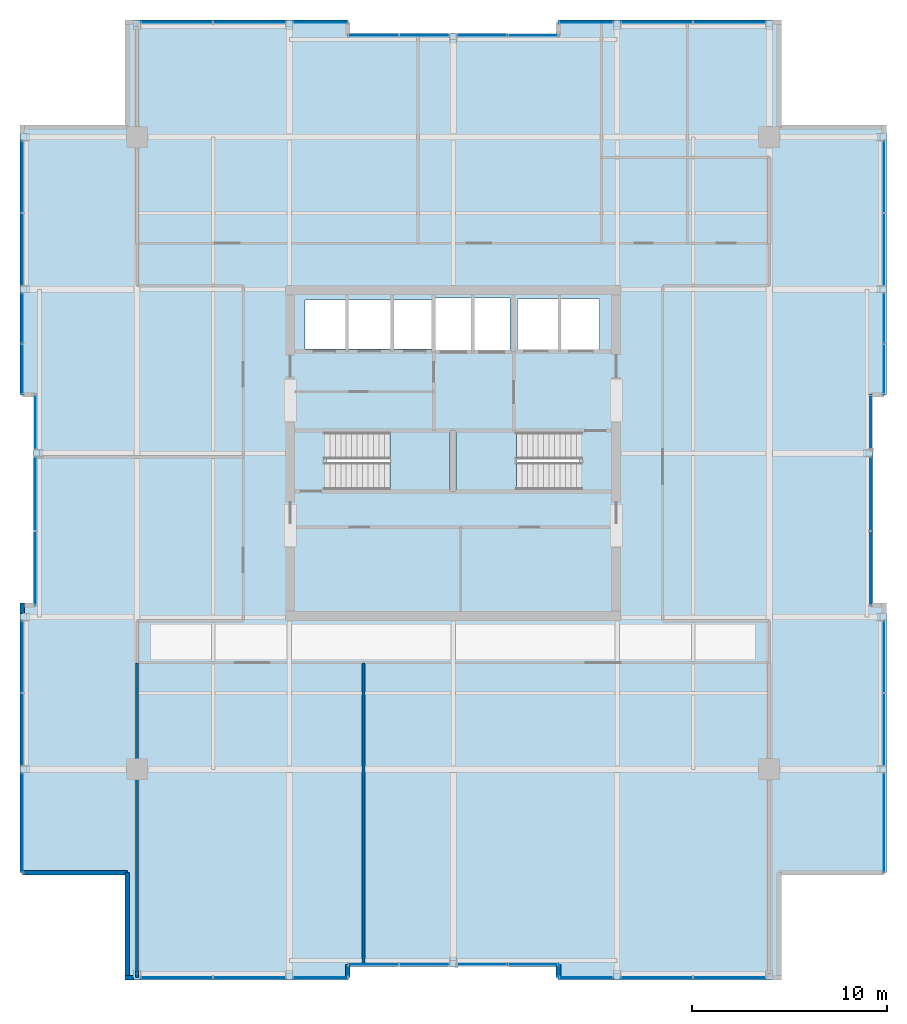
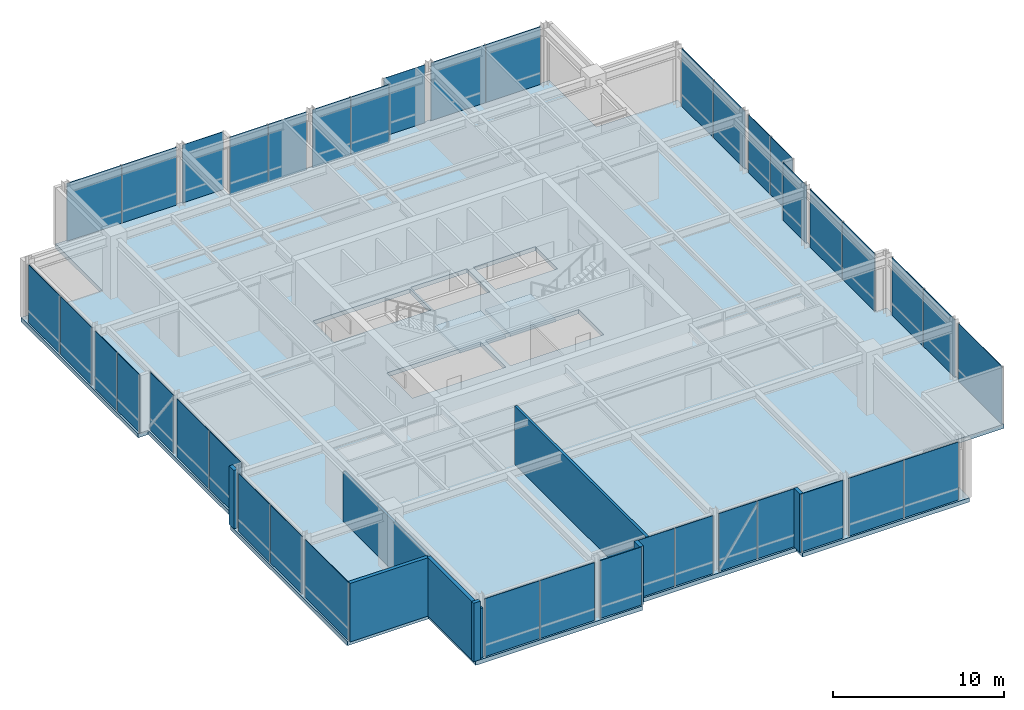
# One storey, part 26 of 32: 40 plates, 8 walls, 3 slabs, 26 elements without a shape of their own.
"""IFC4 building model written with IfcOpenShell, lengths in metres."""

from ifc_helpers import new_model, si_unit, direction, frame, frame_2d, origin, origin_2d, place, context, subcontext, project, spatial, polyline, rectangle, outline, extrude, material, layer, layer_set, type_object, element, aggregate, save


model = new_model("IFC4")

# Units and contexts
model_context = context("Model", 3, precision=1e-05, world=origin(), true_north=direction((0.0, 1.0)))
body_context = subcontext(model_context, "Body", "Model", "MODEL_VIEW")
ifc_project = project(units=[si_unit("LENGTHUNIT", "METRE"), si_unit("AREAUNIT", "SQUARE_METRE"), si_unit("VOLUMEUNIT", "CUBIC_METRE"), si_unit("PLANEANGLEUNIT", "RADIAN"), si_unit("MASSUNIT", "GRAM", prefix="KILO")], contexts=[model_context])

# Site, building, storey
site_placement = place(None, origin())
site = spatial("IfcSite", under=ifc_project, at=site_placement, CompositionType="ELEMENT")
building_placement = place(site_placement, origin())
building = spatial("IfcBuilding", under=site, at=building_placement, Name="Drelvath Grand Hotel", CompositionType="ELEMENT")
storey_placement = place(building_placement, frame((0.0, 0.0, 255.5)))
storey = spatial("IfcBuildingStorey", under=building, at=storey_placement, Name="L67", CompositionType="ELEMENT", Elevation=255.5)

# Slab
ifc_material_1 = material(Name="Concrete f'c 40 MPa", Category="concrete")
ifc_layer_1 = layer(ifc_material_1, 0.300048828125)
ifc_layer_set_1 = layer_set([ifc_layer_1], Name="Concrete f'c 40 MPa")
slab_type_1 = type_object("IfcSlabType", Name="Composite RC Floor Slab 300", PredefinedType="FLOOR", material=ifc_layer_set_1)
slab_1_placement = place(storey_placement, frame((0.0, 0.0, -0.300048828125)))
element("IfcSlab", 1, at=slab_1_placement, inside=storey, type_object=slab_type_1, Name="L67 Structural Floor Slab", PredefinedType="FLOOR", context=body_context, shape_type="SweptSolid", body=[
    extrude(outline(polyline([(-16.699951171875, 0.0), (-5.39990234375, 0.0), (-5.39990234375, 0.679931640625), (5.39990234375, 0.679931640625), (5.39990234375, 0.0), (16.699951171875, 0.0), (16.699951171875, 5.5), (22.199951171875, 5.5), (22.199951171875, 19.199951171875), (21.52001953125, 19.199951171875), (21.52001953125, 30.0), (22.199951171875, 30.0), (22.199951171875, 43.699951171875), (16.699951171875, 43.699951171875), (16.699951171875, 49.199951171875), (5.39990234375, 49.199951171875), (5.39990234375, 48.52001953125), (-5.39990234375, 48.52001953125), (-5.39990234375, 49.199951171875), (-16.699951171875, 49.199951171875), (-16.699951171875, 43.699951171875), (-22.199951171875, 43.699951171875), (-22.199951171875, 30.0), (-21.52001953125, 30.0), (-21.52001953125, 19.199951171875), (-22.199951171875, 19.199951171875), (-22.199951171875, 5.5), (-16.699951171875, 5.5), (-16.699951171875, 0.0)]), holes=[polyline([(-6.47998046875, 25.1201171875), (-6.47998046875, 28.080078125), (-0.14990234375, 28.080078125), (-0.14990234375, 25.1201171875), (-6.47998046875, 25.1201171875)]), polyline([(0.14990234375, 25.1201171875), (0.14990234375, 28.080078125), (6.47998046875, 28.080078125), (6.47998046875, 25.1201171875), (0.14990234375, 25.1201171875)]), polyline([(-7.60009765625, 32.35009765625), (-7.60009765625, 34.85009765625), (-1.02001953125, 34.85009765625), (-1.02001953125, 32.35009765625), (-7.60009765625, 32.35009765625)]), polyline([(-0.89990234375, 32.25), (-0.89990234375, 34.949951171875), (2.89990234375, 34.949951171875), (2.89990234375, 32.25), (-0.89990234375, 32.25)]), polyline([(3.300048828125, 32.300048828125), (3.300048828125, 34.89990234375), (7.5, 34.89990234375), (7.5, 32.300048828125), (3.300048828125, 32.300048828125)])]), origin(), (0.0, 0.0, 1.0), 0.300048828125),
])

# Stair, slab
ifc_material_2 = material(Name="Concrete C40/50", Category="concrete")
stair_type = type_object("IfcStairType", Name="Dogleg Exit Stair W1400-R173.1", PredefinedType="HALF_TURN_STAIR", material=ifc_material_2)
stair_1_placement = place(storey_placement, origin())
stair_1 = element("IfcStair", 2, at=stair_1_placement, inside=storey, type_object=stair_type, Name="L67 Core Exit Stair ST-1", PredefinedType="HALF_TURN_STAIR")
ifc_layer_2 = layer(ifc_material_2, 0.199951171875)
ifc_layer_set_2 = layer_set([ifc_layer_2], Name="Concrete C40/50")
slab_type_2 = type_object("IfcSlabType", Name="Concrete Stair Landing Slab 200", PredefinedType="LANDING", material=ifc_layer_set_2)
slab_2_placement = place(storey_placement, frame((0.0, 0.0, 2.050048828125)))
slab_2 = element("IfcSlab", 3, at=slab_2_placement, type_object=slab_type_2, Name="ST-1 landing 1", PredefinedType="LANDING", context=body_context, shape_type="SweptSolid", body=[
    extrude(outline(polyline([(-3.239990234375, 25.1201171875), (-0.14990234375, 25.1201171875), (-0.14990234375, 28.080078125), (-3.239990234375, 28.080078125), (-3.239990234375, 25.1201171875)])), origin(), (0.0, 0.0, 1.0), 0.199951171875),
])
aggregate(stair_1, [slab_2])

stair_2_placement = place(storey_placement, origin())
stair_2 = element("IfcStair", 4, at=stair_2_placement, inside=storey, type_object=stair_type, Name="L67 Core Exit Stair ST-2", PredefinedType="HALF_TURN_STAIR")
slab_3_placement = place(storey_placement, frame((0.0, 0.0, 2.050048828125)))
slab_3 = element("IfcSlab", 5, at=slab_3_placement, type_object=slab_type_2, Name="ST-2 landing 1", PredefinedType="LANDING", context=body_context, shape_type="SweptSolid", body=[
    extrude(outline(polyline([(3.239990234375, 28.080078125), (0.14990234375, 28.080078125), (0.14990234375, 25.1201171875), (3.239990234375, 25.1201171875), (3.239990234375, 28.080078125)])), origin(), (0.0, 0.0, 1.0), 0.199951171875),
])
aggregate(stair_2, [slab_3])

# Curtain wall, plate
ifc_material_3 = material(Name="Platinum-Mist Anodised Aluminium Frame", Category="aluminium")
ifc_layer_3 = layer(ifc_material_3, 0.199951171875)
ifc_layer_set_3 = layer_set([ifc_layer_3], Name="Platinum-Mist Anodised Aluminium Frame")
curtain_wall_type = type_object("IfcCurtainWallType", Name="Stick Curtain Wall CW-05 Platinum Mist High-Rise", PredefinedType="NOTDEFINED", material=ifc_layer_set_3)
curtain_wall_1_placement = place(storey_placement, origin())
curtain_wall_1 = element("IfcCurtainWall", 6, at=curtain_wall_1_placement, inside=storey, type_object=curtain_wall_type, Name="L67 CW-05 Curtain Wall CW05-L67-WS1", PredefinedType="NOTDEFINED")
ifc_material_4 = material(Name="Low-E Triple Silver High-Altitude Glass", Category="glass")
ifc_layer_4 = layer(ifc_material_4, 0.035888671875)
ifc_layer_set_4 = layer_set([ifc_layer_4], Name="Low-E Triple Silver High-Altitude Glass")
plate_type = type_object("IfcPlateType", Name="Curtain Wall Vision Panel CW-05 36mm", PredefinedType="CURTAIN_PANEL", material=ifc_layer_set_4)
plate_1_placement = place(storey_placement, frame((-22.080078125, 8.060791015625, 0.02001953125), z_axis=(0.0, 0.0, 1.0), x_axis=(0.0, 1.0, 0.0)))
plate_1 = element("IfcPlate", 7, at=plate_1_placement, type_object=plate_type, Name="CW05-L67-WS1 Glazed Panel 1", PredefinedType="CURTAIN_PANEL", context=body_context, shape_type="SweptSolid", body=[
    extrude(rectangle(XDim=5.081787109375, YDim=0.035888671875, at=origin_2d()), origin(), (0.0, 0.0, 1.0), 4.139892578125),
])
aggregate(curtain_wall_1, [plate_1])

# Curtain wall, plates
curtain_wall_2_placement = place(storey_placement, origin())
curtain_wall_2 = element("IfcCurtainWall", 8, at=curtain_wall_2_placement, inside=storey, type_object=curtain_wall_type, Name="L67 CW-05 Curtain Wall CW05-L67-WS2", PredefinedType="NOTDEFINED")
plate_2_placement = place(storey_placement, frame((-22.080078125, 12.839111328125, 0.02001953125), z_axis=(0.0, 0.0, 1.0), x_axis=(0.0, 1.0, 0.0)))
plate_2 = element("IfcPlate", 9, at=plate_2_placement, type_object=plate_type, Name="CW05-L67-WS2 Glazed Panel 1", PredefinedType="CURTAIN_PANEL", context=body_context, shape_type="SweptSolid", body=[
    extrude(rectangle(XDim=3.681884765625, YDim=0.035888671875, at=origin_2d()), origin(), (0.0, 0.0, 1.0), 4.139892578125),
])
plate_3_placement = place(storey_placement, frame((-22.080078125, 16.560791015625, 0.02001953125), z_axis=(0.0, 0.0, 1.0), x_axis=(0.0, 1.0, 0.0)))
plate_3 = element("IfcPlate", 10, at=plate_3_placement, type_object=plate_type, Name="CW05-L67-WS2 Glazed Panel 2", PredefinedType="CURTAIN_PANEL", context=body_context, shape_type="SweptSolid", body=[
    extrude(rectangle(XDim=3.681884765625, YDim=0.035888671875, at=origin_2d()), origin(), (0.0, 0.0, 1.0), 4.139892578125),
])
aggregate(curtain_wall_2, [plate_2, plate_3])

curtain_wall_3_placement = place(storey_placement, origin())
curtain_wall_3 = element("IfcCurtainWall", 11, at=curtain_wall_3_placement, inside=storey, type_object=curtain_wall_type, Name="L67 CW-05 Curtain Wall CW05-L67-WM1", PredefinedType="NOTDEFINED")
plate_4_placement = place(storey_placement, frame((-21.39990234375, 21.10546875, 0.02001953125), z_axis=(0.0, 0.0, 1.0), x_axis=(0.0, 1.0, 0.0)))
plate_4 = element("IfcPlate", 12, at=plate_4_placement, type_object=plate_type, Name="CW05-L67-WM1 Glazed Panel 1", PredefinedType="CURTAIN_PANEL", context=body_context, shape_type="SweptSolid", body=[
    extrude(rectangle(XDim=3.77099609375, YDim=0.035888671875, at=origin_2d()), origin(), (0.0, 0.0, 1.0), 4.139892578125),
])
plate_5_placement = place(storey_placement, frame((-21.39990234375, 24.91650390625, 0.02001953125), z_axis=(0.0, 0.0, 1.0), x_axis=(0.0, 1.0, 0.0)))
plate_5 = element("IfcPlate", 13, at=plate_5_placement, type_object=plate_type, Name="CW05-L67-WM1 Glazed Panel 2", PredefinedType="CURTAIN_PANEL", context=body_context, shape_type="SweptSolid", body=[
    extrude(rectangle(XDim=3.77099609375, YDim=0.035888671875, at=origin_2d()), origin(), (0.0, 0.0, 1.0), 4.139892578125),
])
aggregate(curtain_wall_3, [plate_4, plate_5])

# Curtain wall, plate
curtain_wall_4_placement = place(storey_placement, origin())
curtain_wall_4 = element("IfcCurtainWall", 14, at=curtain_wall_4_placement, inside=storey, type_object=curtain_wall_type, Name="L67 CW-05 Curtain Wall CW05-L67-WM2", PredefinedType="NOTDEFINED")
plate_6_placement = place(storey_placement, frame((-21.39990234375, 28.589111328125, 0.02001953125), z_axis=(0.0, 0.0, 1.0), x_axis=(0.0, 1.0, 0.0)))
plate_6 = element("IfcPlate", 15, at=plate_6_placement, type_object=plate_type, Name="CW05-L67-WM2 Glazed Panel 1", PredefinedType="CURTAIN_PANEL", context=body_context, shape_type="SweptSolid", body=[
    extrude(rectangle(XDim=2.78173828125, YDim=0.035888671875, at=origin_2d()), origin(), (0.0, 0.0, 1.0), 4.139892578125),
])
aggregate(curtain_wall_4, [plate_6])

# Curtain wall, plates
curtain_wall_5_placement = place(storey_placement, origin())
curtain_wall_5 = element("IfcCurtainWall", 16, at=curtain_wall_5_placement, inside=storey, type_object=curtain_wall_type, Name="L67 CW-05 Curtain Wall CW05-L67-WN1", PredefinedType="NOTDEFINED")
plate_7_placement = place(storey_placement, frame((-22.080078125, 31.305419921875, 0.02001953125), z_axis=(0.0, 0.0, 1.0), x_axis=(0.0, 1.0, 0.0)))
plate_7 = element("IfcPlate", 17, at=plate_7_placement, type_object=plate_type, Name="CW05-L67-WN1 Glazed Panel 1", PredefinedType="CURTAIN_PANEL", context=body_context, shape_type="SweptSolid", body=[
    extrude(rectangle(XDim=2.57080078125, YDim=0.035888671875, at=origin_2d()), origin(), (0.0, 0.0, 1.0), 4.139892578125),
])
plate_8_placement = place(storey_placement, frame((-22.080078125, 33.91650390625, 0.02001953125), z_axis=(0.0, 0.0, 1.0), x_axis=(0.0, 1.0, 0.0)))
plate_8 = element("IfcPlate", 18, at=plate_8_placement, type_object=plate_type, Name="CW05-L67-WN1 Glazed Panel 2", PredefinedType="CURTAIN_PANEL", context=body_context, shape_type="SweptSolid", body=[
    extrude(rectangle(XDim=2.57080078125, YDim=0.035888671875, at=origin_2d()), origin(), (0.0, 0.0, 1.0), 4.139892578125),
])
aggregate(curtain_wall_5, [plate_7, plate_8])

curtain_wall_6_placement = place(storey_placement, origin())
curtain_wall_6 = element("IfcCurtainWall", 19, at=curtain_wall_6_placement, inside=storey, type_object=curtain_wall_type, Name="L67 CW-05 Curtain Wall CW05-L67-WN2", PredefinedType="NOTDEFINED")
plate_9_placement = place(storey_placement, frame((-22.080078125, 37.439208984375, 0.02001953125), z_axis=(0.0, 0.0, 1.0), x_axis=(0.0, 1.0, 0.0)))
plate_9 = element("IfcPlate", 20, at=plate_9_placement, type_object=plate_type, Name="CW05-L67-WN2 Glazed Panel 1", PredefinedType="CURTAIN_PANEL", context=body_context, shape_type="SweptSolid", body=[
    extrude(rectangle(XDim=3.681884765625, YDim=0.035888671875, at=origin_2d()), origin(), (0.0, 0.0, 1.0), 4.139892578125),
])
plate_10_placement = place(storey_placement, frame((-22.080078125, 41.160888671875, 0.02001953125), z_axis=(0.0, 0.0, 1.0), x_axis=(0.0, 1.0, 0.0)))
plate_10 = element("IfcPlate", 21, at=plate_10_placement, type_object=plate_type, Name="CW05-L67-WN2 Glazed Panel 2", PredefinedType="CURTAIN_PANEL", context=body_context, shape_type="SweptSolid", body=[
    extrude(rectangle(XDim=3.681884765625, YDim=0.035888671875, at=origin_2d()), origin(), (0.0, 0.0, 1.0), 4.139892578125),
])
aggregate(curtain_wall_6, [plate_9, plate_10])

curtain_wall_7_placement = place(storey_placement, origin())
curtain_wall_7 = element("IfcCurtainWall", 22, at=curtain_wall_7_placement, inside=storey, type_object=curtain_wall_type, Name="L67 CW-05 Curtain Wall CW05-L67-EN1", PredefinedType="NOTDEFINED")
plate_11_placement = place(storey_placement, frame((22.080078125, 33.91650390625, 0.02001953125), z_axis=(0.0, 0.0, 1.0), x_axis=(0.0, -1.0, 0.0)))
plate_11 = element("IfcPlate", 23, at=plate_11_placement, type_object=plate_type, Name="CW05-L67-EN1 Glazed Panel 1", PredefinedType="CURTAIN_PANEL", context=body_context, shape_type="SweptSolid", body=[
    extrude(rectangle(XDim=2.57080078125, YDim=0.035888671875, at=origin_2d()), origin(), (0.0, 0.0, 1.0), 4.139892578125),
])
plate_12_placement = place(storey_placement, frame((22.080078125, 31.305419921875, 0.02001953125), z_axis=(0.0, 0.0, 1.0), x_axis=(0.0, -1.0, 0.0)))
plate_12 = element("IfcPlate", 24, at=plate_12_placement, type_object=plate_type, Name="CW05-L67-EN1 Glazed Panel 2", PredefinedType="CURTAIN_PANEL", context=body_context, shape_type="SweptSolid", body=[
    extrude(rectangle(XDim=2.57080078125, YDim=0.035888671875, at=origin_2d()), origin(), (0.0, 0.0, 1.0), 4.139892578125),
])
aggregate(curtain_wall_7, [plate_11, plate_12])

curtain_wall_8_placement = place(storey_placement, origin())
curtain_wall_8 = element("IfcCurtainWall", 25, at=curtain_wall_8_placement, inside=storey, type_object=curtain_wall_type, Name="L67 CW-05 Curtain Wall CW05-L67-EN2", PredefinedType="NOTDEFINED")
plate_13_placement = place(storey_placement, frame((22.080078125, 41.160888671875, 0.02001953125), z_axis=(0.0, 0.0, 1.0), x_axis=(0.0, -1.0, 0.0)))
plate_13 = element("IfcPlate", 26, at=plate_13_placement, type_object=plate_type, Name="CW05-L67-EN2 Glazed Panel 1", PredefinedType="CURTAIN_PANEL", context=body_context, shape_type="SweptSolid", body=[
    extrude(rectangle(XDim=3.681884765625, YDim=0.035888671875, at=origin_2d()), origin(), (0.0, 0.0, 1.0), 4.139892578125),
])
plate_14_placement = place(storey_placement, frame((22.080078125, 37.439208984375, 0.02001953125), z_axis=(0.0, 0.0, 1.0), x_axis=(0.0, -1.0, 0.0)))
plate_14 = element("IfcPlate", 27, at=plate_14_placement, type_object=plate_type, Name="CW05-L67-EN2 Glazed Panel 2", PredefinedType="CURTAIN_PANEL", context=body_context, shape_type="SweptSolid", body=[
    extrude(rectangle(XDim=3.681884765625, YDim=0.035888671875, at=origin_2d()), origin(), (0.0, 0.0, 1.0), 4.139892578125),
])
aggregate(curtain_wall_8, [plate_13, plate_14])

curtain_wall_9_placement = place(storey_placement, origin())
curtain_wall_9 = element("IfcCurtainWall", 28, at=curtain_wall_9_placement, inside=storey, type_object=curtain_wall_type, Name="L67 CW-05 Curtain Wall CW05-L67-EM1", PredefinedType="NOTDEFINED")
plate_15_placement = place(storey_placement, frame((21.39990234375, 24.91650390625, 0.02001953125), z_axis=(0.0, 0.0, 1.0), x_axis=(0.0, -1.0, 0.0)))
plate_15 = element("IfcPlate", 29, at=plate_15_placement, type_object=plate_type, Name="CW05-L67-EM1 Glazed Panel 1", PredefinedType="CURTAIN_PANEL", context=body_context, shape_type="SweptSolid", body=[
    extrude(rectangle(XDim=3.77099609375, YDim=0.035888671875, at=origin_2d()), origin(), (0.0, 0.0, 1.0), 4.139892578125),
])
plate_16_placement = place(storey_placement, frame((21.39990234375, 21.10546875, 0.02001953125), z_axis=(0.0, 0.0, 1.0), x_axis=(0.0, -1.0, 0.0)))
plate_16 = element("IfcPlate", 30, at=plate_16_placement, type_object=plate_type, Name="CW05-L67-EM1 Glazed Panel 2", PredefinedType="CURTAIN_PANEL", context=body_context, shape_type="SweptSolid", body=[
    extrude(rectangle(XDim=3.77099609375, YDim=0.035888671875, at=origin_2d()), origin(), (0.0, 0.0, 1.0), 4.139892578125),
])
aggregate(curtain_wall_9, [plate_15, plate_16])

# Curtain wall, plate
curtain_wall_10_placement = place(storey_placement, origin())
curtain_wall_10 = element("IfcCurtainWall", 31, at=curtain_wall_10_placement, inside=storey, type_object=curtain_wall_type, Name="L67 CW-05 Curtain Wall CW05-L67-EM2", PredefinedType="NOTDEFINED")
plate_17_placement = place(storey_placement, frame((21.39990234375, 28.589111328125, 0.02001953125), z_axis=(0.0, 0.0, 1.0), x_axis=(0.0, -1.0, 0.0)))
plate_17 = element("IfcPlate", 32, at=plate_17_placement, type_object=plate_type, Name="CW05-L67-EM2 Glazed Panel 1", PredefinedType="CURTAIN_PANEL", context=body_context, shape_type="SweptSolid", body=[
    extrude(rectangle(XDim=2.78173828125, YDim=0.035888671875, at=origin_2d()), origin(), (0.0, 0.0, 1.0), 4.139892578125),
])
aggregate(curtain_wall_10, [plate_17])

curtain_wall_11_placement = place(storey_placement, origin())
curtain_wall_11 = element("IfcCurtainWall", 33, at=curtain_wall_11_placement, inside=storey, type_object=curtain_wall_type, Name="L67 CW-05 Curtain Wall CW05-L67-ES1", PredefinedType="NOTDEFINED")
plate_18_placement = place(storey_placement, frame((22.080078125, 8.060791015625, 0.02001953125), z_axis=(0.0, 0.0, 1.0), x_axis=(0.0, -1.0, 0.0)))
plate_18 = element("IfcPlate", 34, at=plate_18_placement, type_object=plate_type, Name="CW05-L67-ES1 Glazed Panel 1", PredefinedType="CURTAIN_PANEL", context=body_context, shape_type="SweptSolid", body=[
    extrude(rectangle(XDim=5.081787109375, YDim=0.035888671875, at=origin_2d()), origin(), (0.0, 0.0, 1.0), 4.139892578125),
])
aggregate(curtain_wall_11, [plate_18])

# Curtain wall, plates
curtain_wall_12_placement = place(storey_placement, origin())
curtain_wall_12 = element("IfcCurtainWall", 35, at=curtain_wall_12_placement, inside=storey, type_object=curtain_wall_type, Name="L67 CW-05 Curtain Wall CW05-L67-ES2", PredefinedType="NOTDEFINED")
plate_19_placement = place(storey_placement, frame((22.080078125, 16.560791015625, 0.02001953125), z_axis=(0.0, 0.0, 1.0), x_axis=(0.0, -1.0, 0.0)))
plate_19 = element("IfcPlate", 36, at=plate_19_placement, type_object=plate_type, Name="CW05-L67-ES2 Glazed Panel 1", PredefinedType="CURTAIN_PANEL", context=body_context, shape_type="SweptSolid", body=[
    extrude(rectangle(XDim=3.681884765625, YDim=0.035888671875, at=origin_2d()), origin(), (0.0, 0.0, 1.0), 4.139892578125),
])
plate_20_placement = place(storey_placement, frame((22.080078125, 12.839111328125, 0.02001953125), z_axis=(0.0, 0.0, 1.0), x_axis=(0.0, -1.0, 0.0)))
plate_20 = element("IfcPlate", 37, at=plate_20_placement, type_object=plate_type, Name="CW05-L67-ES2 Glazed Panel 2", PredefinedType="CURTAIN_PANEL", context=body_context, shape_type="SweptSolid", body=[
    extrude(rectangle(XDim=3.681884765625, YDim=0.035888671875, at=origin_2d()), origin(), (0.0, 0.0, 1.0), 4.139892578125),
])
aggregate(curtain_wall_12, [plate_19, plate_20])

curtain_wall_13_placement = place(storey_placement, origin())
curtain_wall_13 = element("IfcCurtainWall", 38, at=curtain_wall_13_placement, inside=storey, type_object=curtain_wall_type, Name="L67 CW-05 Curtain Wall CW05-L67-NW2", PredefinedType="NOTDEFINED")
plate_21_placement = place(storey_placement, frame((-14.160888671875, 49.080078125, 0.02001953125), z_axis=(0.0, 0.0, 1.0), x_axis=(1.0, 0.0, 0.0)))
plate_21 = element("IfcPlate", 39, at=plate_21_placement, type_object=plate_type, Name="CW05-L67-NW2 Glazed Panel 1", PredefinedType="CURTAIN_PANEL", context=body_context, shape_type="SweptSolid", body=[
    extrude(rectangle(XDim=3.681884765625, YDim=0.035888671875, at=origin_2d()), origin(), (0.0, 0.0, 1.0), 4.139892578125),
])
plate_22_placement = place(storey_placement, frame((-10.439208984375, 49.080078125, 0.02001953125), z_axis=(0.0, 0.0, 1.0), x_axis=(1.0, 0.0, 0.0)))
plate_22 = element("IfcPlate", 40, at=plate_22_placement, type_object=plate_type, Name="CW05-L67-NW2 Glazed Panel 2", PredefinedType="CURTAIN_PANEL", context=body_context, shape_type="SweptSolid", body=[
    extrude(rectangle(XDim=3.681884765625, YDim=0.035888671875, at=origin_2d()), origin(), (0.0, 0.0, 1.0), 4.139892578125),
])
aggregate(curtain_wall_13, [plate_21, plate_22])

# Curtain wall, plate
curtain_wall_14_placement = place(storey_placement, origin())
curtain_wall_14 = element("IfcCurtainWall", 41, at=curtain_wall_14_placement, inside=storey, type_object=curtain_wall_type, Name="L67 CW-05 Curtain Wall CW05-L67-NW3", PredefinedType="NOTDEFINED")
plate_23_placement = place(storey_placement, frame((-6.810791015625, 49.080078125, 0.02001953125), z_axis=(0.0, 0.0, 1.0), x_axis=(1.0, 0.0, 0.0)))
plate_23 = element("IfcPlate", 42, at=plate_23_placement, type_object=plate_type, Name="CW05-L67-NW3 Glazed Panel 1", PredefinedType="CURTAIN_PANEL", context=body_context, shape_type="SweptSolid", body=[
    extrude(rectangle(XDim=2.78173828125, YDim=0.035888671875, at=origin_2d()), origin(), (0.0, 0.0, 1.0), 4.139892578125),
])
aggregate(curtain_wall_14, [plate_23])

# Curtain wall, plates
curtain_wall_15_placement = place(storey_placement, origin())
curtain_wall_15 = element("IfcCurtainWall", 43, at=curtain_wall_15_placement, inside=storey, type_object=curtain_wall_type, Name="L67 CW-05 Curtain Wall CW05-L67-NM1", PredefinedType="NOTDEFINED")
plate_24_placement = place(storey_placement, frame((-4.094482421875, 48.39990234375, 0.02001953125), z_axis=(0.0, 0.0, 1.0), x_axis=(1.0, 0.0, 0.0)))
plate_24 = element("IfcPlate", 44, at=plate_24_placement, type_object=plate_type, Name="CW05-L67-NM1 Glazed Panel 1", PredefinedType="CURTAIN_PANEL", context=body_context, shape_type="SweptSolid", body=[
    extrude(rectangle(XDim=2.57080078125, YDim=0.035888671875, at=origin_2d()), origin(), (0.0, 0.0, 1.0), 4.139892578125),
])
plate_25_placement = place(storey_placement, frame((-1.483642578125, 48.39990234375, 0.02001953125), z_axis=(0.0, 0.0, 1.0), x_axis=(1.0, 0.0, 0.0)))
plate_25 = element("IfcPlate", 45, at=plate_25_placement, type_object=plate_type, Name="CW05-L67-NM1 Glazed Panel 2", PredefinedType="CURTAIN_PANEL", context=body_context, shape_type="SweptSolid", body=[
    extrude(rectangle(XDim=2.57080078125, YDim=0.035888671875, at=origin_2d()), origin(), (0.0, 0.0, 1.0), 4.139892578125),
])
aggregate(curtain_wall_15, [plate_24, plate_25])

curtain_wall_16_placement = place(storey_placement, origin())
curtain_wall_16 = element("IfcCurtainWall", 46, at=curtain_wall_16_placement, inside=storey, type_object=curtain_wall_type, Name="L67 CW-05 Curtain Wall CW05-L67-NM2", PredefinedType="NOTDEFINED")
plate_26_placement = place(storey_placement, frame((1.483642578125, 48.39990234375, 0.02001953125), z_axis=(0.0, 0.0, 1.0), x_axis=(1.0, 0.0, 0.0)))
plate_26 = element("IfcPlate", 47, at=plate_26_placement, type_object=plate_type, Name="CW05-L67-NM2 Glazed Panel 1", PredefinedType="CURTAIN_PANEL", context=body_context, shape_type="SweptSolid", body=[
    extrude(rectangle(XDim=2.57080078125, YDim=0.035888671875, at=origin_2d()), origin(), (0.0, 0.0, 1.0), 4.139892578125),
])
plate_27_placement = place(storey_placement, frame((4.094482421875, 48.39990234375, 0.02001953125), z_axis=(0.0, 0.0, 1.0), x_axis=(1.0, 0.0, 0.0)))
plate_27 = element("IfcPlate", 48, at=plate_27_placement, type_object=plate_type, Name="CW05-L67-NM2 Glazed Panel 2", PredefinedType="CURTAIN_PANEL", context=body_context, shape_type="SweptSolid", body=[
    extrude(rectangle(XDim=2.57080078125, YDim=0.035888671875, at=origin_2d()), origin(), (0.0, 0.0, 1.0), 4.139892578125),
])
aggregate(curtain_wall_16, [plate_26, plate_27])

# Curtain wall, plate
curtain_wall_17_placement = place(storey_placement, origin())
curtain_wall_17 = element("IfcCurtainWall", 49, at=curtain_wall_17_placement, inside=storey, type_object=curtain_wall_type, Name="L67 CW-05 Curtain Wall CW05-L67-NE1", PredefinedType="NOTDEFINED")
plate_28_placement = place(storey_placement, frame((6.810791015625, 49.080078125, 0.02001953125), z_axis=(0.0, 0.0, 1.0), x_axis=(1.0, 0.0, 0.0)))
plate_28 = element("IfcPlate", 50, at=plate_28_placement, type_object=plate_type, Name="CW05-L67-NE1 Glazed Panel 1", PredefinedType="CURTAIN_PANEL", context=body_context, shape_type="SweptSolid", body=[
    extrude(rectangle(XDim=2.78173828125, YDim=0.035888671875, at=origin_2d()), origin(), (0.0, 0.0, 1.0), 4.139892578125),
])
aggregate(curtain_wall_17, [plate_28])

# Curtain wall, plates
curtain_wall_18_placement = place(storey_placement, origin())
curtain_wall_18 = element("IfcCurtainWall", 51, at=curtain_wall_18_placement, inside=storey, type_object=curtain_wall_type, Name="L67 CW-05 Curtain Wall CW05-L67-NE2", PredefinedType="NOTDEFINED")
plate_29_placement = place(storey_placement, frame((10.439208984375, 49.080078125, 0.02001953125), z_axis=(0.0, 0.0, 1.0), x_axis=(1.0, 0.0, 0.0)))
plate_29 = element("IfcPlate", 52, at=plate_29_placement, type_object=plate_type, Name="CW05-L67-NE2 Glazed Panel 1", PredefinedType="CURTAIN_PANEL", context=body_context, shape_type="SweptSolid", body=[
    extrude(rectangle(XDim=3.681884765625, YDim=0.035888671875, at=origin_2d()), origin(), (0.0, 0.0, 1.0), 4.139892578125),
])
plate_30_placement = place(storey_placement, frame((14.160888671875, 49.080078125, 0.02001953125), z_axis=(0.0, 0.0, 1.0), x_axis=(1.0, 0.0, 0.0)))
plate_30 = element("IfcPlate", 53, at=plate_30_placement, type_object=plate_type, Name="CW05-L67-NE2 Glazed Panel 2", PredefinedType="CURTAIN_PANEL", context=body_context, shape_type="SweptSolid", body=[
    extrude(rectangle(XDim=3.681884765625, YDim=0.035888671875, at=origin_2d()), origin(), (0.0, 0.0, 1.0), 4.139892578125),
])
aggregate(curtain_wall_18, [plate_29, plate_30])

# Curtain wall, plate
curtain_wall_19_placement = place(storey_placement, origin())
curtain_wall_19 = element("IfcCurtainWall", 54, at=curtain_wall_19_placement, inside=storey, type_object=curtain_wall_type, Name="L67 CW-05 Curtain Wall CW05-L67-SE1", PredefinedType="NOTDEFINED")
plate_31_placement = place(storey_placement, frame((6.810791015625, 0.1201171875, 0.02001953125), z_axis=(0.0, 0.0, 1.0), x_axis=(-1.0, 0.0, 0.0)))
plate_31 = element("IfcPlate", 55, at=plate_31_placement, type_object=plate_type, Name="CW05-L67-SE1 Glazed Panel 1", PredefinedType="CURTAIN_PANEL", context=body_context, shape_type="SweptSolid", body=[
    extrude(rectangle(XDim=2.78173828125, YDim=0.035888671875, at=origin_2d()), origin(), (0.0, 0.0, 1.0), 4.139892578125),
])
aggregate(curtain_wall_19, [plate_31])

# Curtain wall, plates
curtain_wall_20_placement = place(storey_placement, origin())
curtain_wall_20 = element("IfcCurtainWall", 56, at=curtain_wall_20_placement, inside=storey, type_object=curtain_wall_type, Name="L67 CW-05 Curtain Wall CW05-L67-SE2", PredefinedType="NOTDEFINED")
plate_32_placement = place(storey_placement, frame((14.160888671875, 0.1201171875, 0.02001953125), z_axis=(0.0, 0.0, 1.0), x_axis=(-1.0, 0.0, 0.0)))
plate_32 = element("IfcPlate", 57, at=plate_32_placement, type_object=plate_type, Name="CW05-L67-SE2 Glazed Panel 1", PredefinedType="CURTAIN_PANEL", context=body_context, shape_type="SweptSolid", body=[
    extrude(rectangle(XDim=3.681884765625, YDim=0.035888671875, at=origin_2d()), origin(), (0.0, 0.0, 1.0), 4.139892578125),
])
plate_33_placement = place(storey_placement, frame((10.439208984375, 0.1201171875, 0.02001953125), z_axis=(0.0, 0.0, 1.0), x_axis=(-1.0, 0.0, 0.0)))
plate_33 = element("IfcPlate", 58, at=plate_33_placement, type_object=plate_type, Name="CW05-L67-SE2 Glazed Panel 2", PredefinedType="CURTAIN_PANEL", context=body_context, shape_type="SweptSolid", body=[
    extrude(rectangle(XDim=3.681884765625, YDim=0.035888671875, at=origin_2d()), origin(), (0.0, 0.0, 1.0), 4.139892578125),
])
aggregate(curtain_wall_20, [plate_32, plate_33])

curtain_wall_21_placement = place(storey_placement, origin())
curtain_wall_21 = element("IfcCurtainWall", 59, at=curtain_wall_21_placement, inside=storey, type_object=curtain_wall_type, Name="L67 CW-05 Curtain Wall CW05-L67-SM1", PredefinedType="NOTDEFINED")
plate_34_placement = place(storey_placement, frame((-1.483642578125, 0.800048828125, 0.02001953125), z_axis=(0.0, 0.0, 1.0), x_axis=(-1.0, 0.0, 0.0)))
plate_34 = element("IfcPlate", 60, at=plate_34_placement, type_object=plate_type, Name="CW05-L67-SM1 Glazed Panel 1", PredefinedType="CURTAIN_PANEL", context=body_context, shape_type="SweptSolid", body=[
    extrude(rectangle(XDim=2.57080078125, YDim=0.035888671875, at=origin_2d()), origin(), (0.0, 0.0, 1.0), 4.139892578125),
])
plate_35_placement = place(storey_placement, frame((-4.094482421875, 0.800048828125, 0.02001953125), z_axis=(0.0, 0.0, 1.0), x_axis=(-1.0, 0.0, 0.0)))
plate_35 = element("IfcPlate", 61, at=plate_35_placement, type_object=plate_type, Name="CW05-L67-SM1 Glazed Panel 2", PredefinedType="CURTAIN_PANEL", context=body_context, shape_type="SweptSolid", body=[
    extrude(rectangle(XDim=2.57080078125, YDim=0.035888671875, at=origin_2d()), origin(), (0.0, 0.0, 1.0), 4.139892578125),
])
aggregate(curtain_wall_21, [plate_34, plate_35])

curtain_wall_22_placement = place(storey_placement, origin())
curtain_wall_22 = element("IfcCurtainWall", 62, at=curtain_wall_22_placement, inside=storey, type_object=curtain_wall_type, Name="L67 CW-05 Curtain Wall CW05-L67-SM2", PredefinedType="NOTDEFINED")
plate_36_placement = place(storey_placement, frame((4.094482421875, 0.800048828125, 0.02001953125), z_axis=(0.0, 0.0, 1.0), x_axis=(-1.0, 0.0, 0.0)))
plate_36 = element("IfcPlate", 63, at=plate_36_placement, type_object=plate_type, Name="CW05-L67-SM2 Glazed Panel 1", PredefinedType="CURTAIN_PANEL", context=body_context, shape_type="SweptSolid", body=[
    extrude(rectangle(XDim=2.57080078125, YDim=0.035888671875, at=origin_2d()), origin(), (0.0, 0.0, 1.0), 4.139892578125),
])
plate_37_placement = place(storey_placement, frame((1.483642578125, 0.800048828125, 0.02001953125), z_axis=(0.0, 0.0, 1.0), x_axis=(-1.0, 0.0, 0.0)))
plate_37 = element("IfcPlate", 64, at=plate_37_placement, type_object=plate_type, Name="CW05-L67-SM2 Glazed Panel 2", PredefinedType="CURTAIN_PANEL", context=body_context, shape_type="SweptSolid", body=[
    extrude(rectangle(XDim=2.57080078125, YDim=0.035888671875, at=origin_2d()), origin(), (0.0, 0.0, 1.0), 4.139892578125),
])
aggregate(curtain_wall_22, [plate_36, plate_37])

curtain_wall_23_placement = place(storey_placement, origin())
curtain_wall_23 = element("IfcCurtainWall", 65, at=curtain_wall_23_placement, inside=storey, type_object=curtain_wall_type, Name="L67 CW-05 Curtain Wall CW05-L67-SW2", PredefinedType="NOTDEFINED")
plate_38_placement = place(storey_placement, frame((-10.439208984375, 0.1201171875, 0.02001953125), z_axis=(0.0, 0.0, 1.0), x_axis=(-1.0, 0.0, 0.0)))
plate_38 = element("IfcPlate", 66, at=plate_38_placement, type_object=plate_type, Name="CW05-L67-SW2 Glazed Panel 1", PredefinedType="CURTAIN_PANEL", context=body_context, shape_type="SweptSolid", body=[
    extrude(rectangle(XDim=3.681884765625, YDim=0.035888671875, at=origin_2d()), origin(), (0.0, 0.0, 1.0), 4.139892578125),
])
plate_39_placement = place(storey_placement, frame((-14.160888671875, 0.1201171875, 0.02001953125), z_axis=(0.0, 0.0, 1.0), x_axis=(-1.0, 0.0, 0.0)))
plate_39 = element("IfcPlate", 67, at=plate_39_placement, type_object=plate_type, Name="CW05-L67-SW2 Glazed Panel 2", PredefinedType="CURTAIN_PANEL", context=body_context, shape_type="SweptSolid", body=[
    extrude(rectangle(XDim=3.681884765625, YDim=0.035888671875, at=origin_2d()), origin(), (0.0, 0.0, 1.0), 4.139892578125),
])
aggregate(curtain_wall_23, [plate_38, plate_39])

# Curtain wall, plate
curtain_wall_24_placement = place(storey_placement, origin())
curtain_wall_24 = element("IfcCurtainWall", 68, at=curtain_wall_24_placement, inside=storey, type_object=curtain_wall_type, Name="L67 CW-05 Curtain Wall CW05-L67-SW3", PredefinedType="NOTDEFINED")
plate_40_placement = place(storey_placement, frame((-6.810791015625, 0.1201171875, 0.02001953125), z_axis=(0.0, 0.0, 1.0), x_axis=(-1.0, 0.0, 0.0)))
plate_40 = element("IfcPlate", 69, at=plate_40_placement, type_object=plate_type, Name="CW05-L67-SW3 Glazed Panel 1", PredefinedType="CURTAIN_PANEL", context=body_context, shape_type="SweptSolid", body=[
    extrude(rectangle(XDim=2.78173828125, YDim=0.035888671875, at=origin_2d()), origin(), (0.0, 0.0, 1.0), 4.139892578125),
])
aggregate(curtain_wall_24, [plate_40])

# Walls
ifc_material_5 = material(Name="Gypsum Acoustic Partition")
ifc_layer_5 = layer(ifc_material_5, 0.1650390625)
ifc_layer_set_5 = layer_set([ifc_layer_5], Name="Gypsum Acoustic Partition")
wall_type_1 = type_object("IfcWallType", Name="Suite Demising Wall 165", PredefinedType="PARTITIONING", material=ifc_layer_set_5)
wall_1_placement = place(storey_placement, frame((-16.199951171875, 0.1201171875, 0.0), z_axis=(0.0, 0.0, 1.0), x_axis=(0.0, 1.0, 0.0)))
element("IfcWall", 70, at=wall_1_placement, inside=storey, type_object=wall_type_1, Name="L67 Sky SW Wall", PredefinedType="PARTITIONING", context=body_context, shape_type="SweptSolid", body=[
    extrude(rectangle(XDim=16.1298828125, YDim=0.1650390625, at=frame_2d((8.06494140625, 0.0))), origin(), (0.0, 0.0, 1.0), 3.553955078125),
])
wall_2_placement = place(storey_placement, frame((-4.60009765625, 0.800048828125, 0.0), z_axis=(0.0, 0.0, 1.0), x_axis=(0.0, 1.0, 0.0)))
element("IfcWall", 71, at=wall_2_placement, inside=storey, type_object=wall_type_1, Name="L67 Sky South Split", PredefinedType="PARTITIONING", context=body_context, shape_type="SweptSolid", body=[
    extrude(rectangle(XDim=15.449951171875, YDim=0.1650390625, at=frame_2d((7.72509765625, 0.0))), origin(), (0.0, 0.0, 1.0), 4.179931640625),
])
ifc_material_6 = material(Name="Pale-Metal Insulated Aluminium Spandrel Assembly", Category="aluminium")
ifc_layer_6 = layer(ifc_material_6, 0.239990234375)
ifc_layer_set_6 = layer_set([ifc_layer_6], Name="Pale-Metal Insulated Aluminium Spandrel Assembly")
wall_type_2 = type_object("IfcWallType", Name="Tower Insulated Metal Spandrel Closure Wall 240", PredefinedType="STANDARD", material=ifc_layer_set_6)
wall_3_placement = place(storey_placement, frame((-22.080078125, 18.7783203125, 0.0), z_axis=(0.0, 0.0, 1.0), x_axis=(0.0, 1.0, 0.0)))
element("IfcWall", 72, at=wall_3_placement, inside=storey, type_object=wall_type_2, Name="L67 Corner Pier Spandrel Wall WS3", PredefinedType="STANDARD", context=body_context, shape_type="SweptSolid", body=[
    extrude(rectangle(XDim=0.541748046875, YDim=0.239990234375, at=frame_2d((0.27099609375, 0.0))), origin(), (0.0, 0.0, 1.0), 4.179931640625),
])
wall_4_placement = place(storey_placement, frame((-16.378173828125, 0.1201171875, 0.0), z_axis=(0.0, 0.0, 1.0), x_axis=(-1.0, 0.0, 0.0)))
element("IfcWall", 73, at=wall_4_placement, inside=storey, type_object=wall_type_2, Name="L67 Corner Pier Spandrel Wall SW1", PredefinedType="STANDARD", context=body_context, shape_type="SweptSolid", body=[
    extrude(rectangle(XDim=0.44189453125, YDim=0.239990234375, at=frame_2d((0.220947265625, 0.0))), origin(), (0.0, 0.0, 1.0), 4.179931640625),
])
wall_5_placement = place(storey_placement, frame((-16.699951171875, 0.239990234375, 0.0), z_axis=(0.0, 0.0, 1.0), x_axis=(0.0, 1.0, 0.0)))
element("IfcWall", 74, at=wall_5_placement, inside=storey, type_object=wall_type_2, Name="L67 Notched Corner Return Spandrel Wall CSW1", PredefinedType="STANDARD", context=body_context, shape_type="SweptSolid", body=[
    extrude(rectangle(XDim=5.260009765625, YDim=0.239990234375, at=frame_2d((2.6298828125, 0.0))), origin(), (0.0, 0.0, 1.0), 4.179931640625),
])
wall_6_placement = place(storey_placement, frame((-16.699951171875, 5.5, 0.0), z_axis=(0.0, 0.0, 1.0), x_axis=(-1.0, 0.0, 0.0)))
element("IfcWall", 75, at=wall_6_placement, inside=storey, type_object=wall_type_2, Name="L67 Notched Corner Return Spandrel Wall CSW2", PredefinedType="STANDARD", context=body_context, shape_type="SweptSolid", body=[
    extrude(rectangle(XDim=5.380126953125, YDim=0.239990234375, at=frame_2d((2.68994140625, 0.0))), origin(), (0.0, 0.0, 1.0), 4.179931640625),
])
for number, where, z_axis, x_axis, name in (
    (76, (5.39990234375, 0.1201171875, 0.0), (0.0, 0.0, 1.0), (0.0, 1.0, 0.0), "L67 Notched Corner Return Spandrel Wall RS1"),
    (77, (-5.39990234375, 0.800048828125, 0.0), (0.0, 0.0, 1.0), (0.0, -1.0, 0.0), "L67 Notched Corner Return Spandrel Wall RS2"),
):
    element("IfcWall", number, at=place(storey_placement, frame(where, z_axis=z_axis, x_axis=x_axis)), inside=storey, type_object=wall_type_2, Name=name, PredefinedType="STANDARD", context=body_context, shape_type="SweptSolid", body=[
        extrude(rectangle(XDim=0.679931640625, YDim=0.239990234375, at=frame_2d((0.33984375, 0.0))), origin(), (0.0, 0.0, 1.0), 4.179931640625),
    ])

save(model, "model.ifc")
